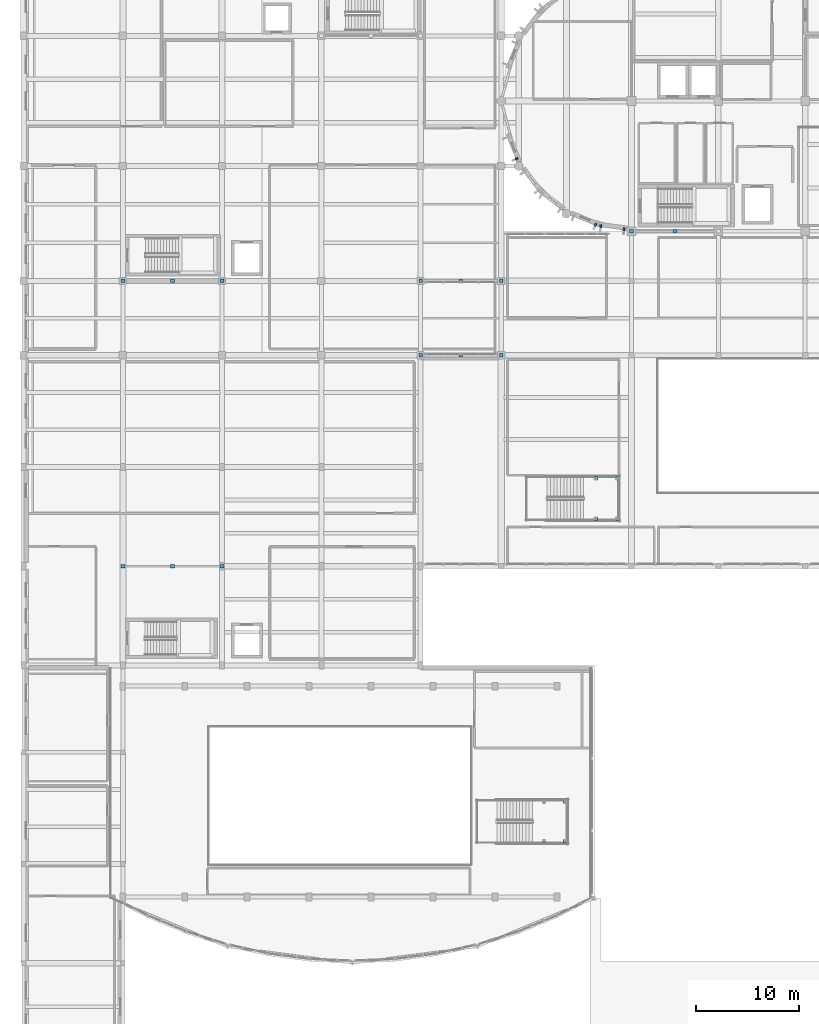
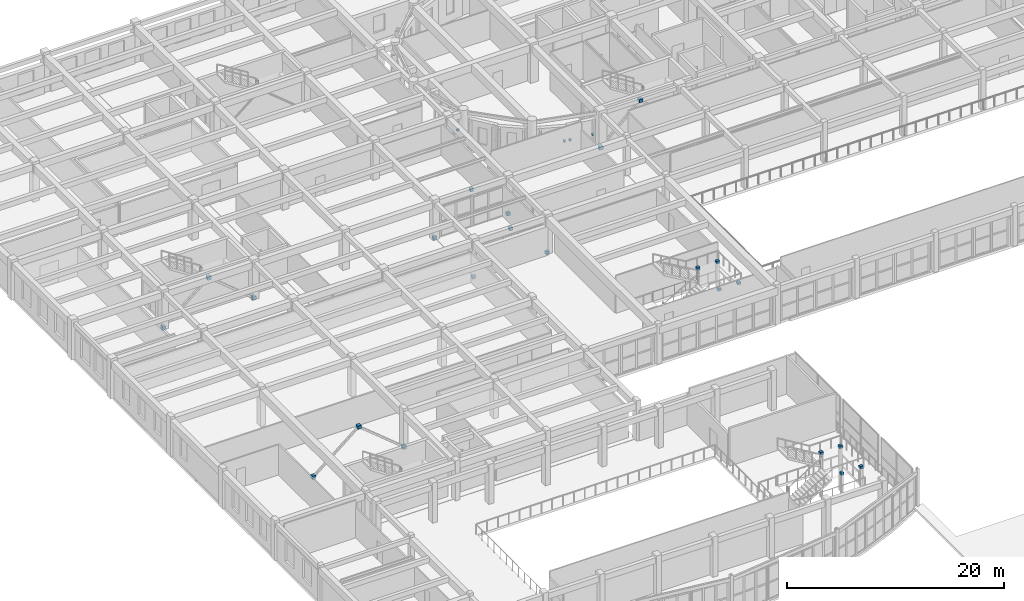
# One storey, part 75 of 92: 26 discrete accessories.
"""IFC4 building model written with IfcOpenShell, lengths in metres."""

import ifcopenshell
import ifcopenshell.guid

model = None  # the IFC model being written
_history = None  # IfcOwnerHistory: only IFC2X3 demands one
_inside = {}  # id of a spatial element -> (the spatial element, [elements in it])
_under = {}  # id of a project, library or spatial element -> (it, [spatial elements below it])
_declared = {}  # id of a project -> (the project, [libraries it declares])
_typed = {}  # id of a type object -> (the type object, [elements of that type])
_made_of = {}  # id of a material, layer set ... -> (it, [elements and type objects made of it])


def new_model(schema):
    """Start an empty IFC model of exactly this schema.

    Asked for "IFC4X3", IfcOpenShell would pick the latest addendum, in which some entities
    have other attributes; the version numbers below select the first issue.
    IFC2X3 requires an IfcOwnerHistory on every rooted entity: one is made here for all.
    """
    global model, _history
    if schema == "IFC4X3":
        model = ifcopenshell.file(schema_version=(4, 3, 0, 0))
    else:
        model = ifcopenshell.file(schema=schema)
    _inside.clear()
    _under.clear()
    _declared.clear()
    _typed.clear()
    _made_of.clear()
    _history = None
    if model.schema == "IFC2X3":
        org = make("IfcOrganization", Name="unknown")
        user = make(
            "IfcPersonAndOrganization",
            ThePerson=make("IfcPerson", FamilyName="unknown"),
            TheOrganization=org,
        )
        app = make(
            "IfcApplication",
            ApplicationDeveloper=org,
            Version="unknown",
            ApplicationFullName="unknown",
            ApplicationIdentifier="unknown",
        )
        _history = make(
            "IfcOwnerHistory",
            OwningUser=user,
            OwningApplication=app,
            ChangeAction="ADDED",
            CreationDate=0,
        )
    return model


def make(cls, **values):
    """One entity of the class cls with the attributes given. An attribute that is None is left unset."""
    return model.create_entity(
        cls, **{name: value for name, value in values.items() if value is not None}
    )


def rooted(cls, **values):
    """An entity with a GlobalId (a new one), such as an element, a storey or a relation."""
    return make(cls, GlobalId=ifcopenshell.guid.new(), OwnerHistory=_history, **values)


def si_unit(unit_type, name, prefix=None):
    """IfcSIUnit, for example si_unit("LENGTHUNIT", "METRE", prefix="MILLI")."""
    return make("IfcSIUnit", UnitType=unit_type, Prefix=prefix, Name=name)


def assignment(units):
    """IfcUnitAssignment: the units of a project."""
    return None if units is None else make("IfcUnitAssignment", Units=units)


def point(xyz):
    """IfcCartesianPoint."""
    return None if xyz is None else make("IfcCartesianPoint", Coordinates=xyz)


def direction(xyz):
    """IfcDirection."""
    return None if xyz is None else make("IfcDirection", DirectionRatios=xyz)


def frame(location, z_axis=None, x_axis=None):
    """IfcAxis2Placement3D, a coordinate frame: its origin and axes. An axis left out is left unset."""
    return make(
        "IfcAxis2Placement3D",
        Location=point(location),
        Axis=direction(z_axis),
        RefDirection=direction(x_axis),
    )


def frame_2d(location, x_axis=None):
    """IfcAxis2Placement2D, a coordinate frame in the plane: its origin and x axis."""
    return make(
        "IfcAxis2Placement2D", Location=point(location), RefDirection=direction(x_axis)
    )


def origin():
    """The frame at (0, 0, 0) with its axes left unset."""
    return frame((0.0, 0.0, 0.0))


def origin_2d():
    """The frame at (0, 0) in the plane with its x axis left unset."""
    return frame_2d((0.0, 0.0))


def place(relative_to, where):
    """IfcLocalPlacement: puts the frame where relative to a parent placement (None: the world)."""
    return make(
        "IfcLocalPlacement", PlacementRelTo=relative_to, RelativePlacement=where
    )


def context(
    kind, dimensions, precision=None, world=None, true_north=None, identifier=None
):
    """IfcGeometricRepresentationContext, for example the 3D "Model" context."""
    return make(
        "IfcGeometricRepresentationContext",
        ContextIdentifier=identifier,
        ContextType=kind,
        CoordinateSpaceDimension=dimensions,
        Precision=precision,
        WorldCoordinateSystem=world,
        TrueNorth=true_north,
    )


def subcontext(parent, identifier, kind, view, scale=None):
    """IfcGeometricRepresentationSubContext, for example "Body" below "Model"."""
    return make(
        "IfcGeometricRepresentationSubContext",
        ContextIdentifier=identifier,
        ContextType=kind,
        ParentContext=parent,
        TargetScale=scale,
        TargetView=view,
    )


def project(units=None, contexts=None):
    """IfcProject with its units and contexts."""
    return rooted(
        "IfcProject",
        Name="project",
        RepresentationContexts=contexts,
        UnitsInContext=assignment(units),
    )


def spatial(cls, under=None, at=None, **own):
    """A site, building, storey or space (cls), placed at a placement, below another one or the project."""
    s = rooted(cls, ObjectPlacement=at, **own)
    if under is not None:
        _under.setdefault(under.id(), (under, []))[1].append(s)
    return s


def profile(cls, at=None, kind="AREA", **sizes):
    """A parametric profile (cls). Its sizes go by their IFC names, for example OverallWidth=200.0."""
    return make(cls, ProfileType=kind, Position=at, **sizes)


def rectangle(**sizes):
    """IfcRectangleProfileDef."""
    return profile("IfcRectangleProfileDef", **sizes)


def extrude(swept, where, along, depth):
    """IfcExtrudedAreaSolid: the profile swept, set in the frame where, extruded along a direction by depth."""
    return make(
        "IfcExtrudedAreaSolid",
        SweptArea=swept,
        Position=where,
        ExtrudedDirection=direction(along),
        Depth=depth,
    )


def shape(context_of_items, identifier, shape_type, items):
    """IfcShapeRepresentation: the items that make up one representation, for example the "Body"."""
    return make(
        "IfcShapeRepresentation",
        ContextOfItems=context_of_items,
        RepresentationIdentifier=identifier,
        RepresentationType=shape_type,
        Items=items,
    )


def material(Name=None, Category=None):
    """IfcMaterial."""
    return make("IfcMaterial", Name=Name, Category=Category)


def made_of(thing, what):
    """Note that an element or type object is made of a material, layer set ...; save() writes the relation."""
    if what is not None:
        _made_of.setdefault(what.id(), (what, []))[1].append(thing)
    return thing


def type_object(cls, material=None, **own):
    """A type object (cls), such as IfcWallType, which elements share."""
    return made_of(rooted(cls, **own), material)


def element(
    cls,
    number,
    at=None,
    inside=None,
    cuts=None,
    type_object=None,
    material=None,
    context=None,
    identifier="Body",
    shape_type=None,
    held_by="IfcProductDefinitionShape",
    body=None,
    shapes=None,
    **own,
):
    """One element of the class cls, such as IfcWall. Its Tag is "e" and its number.

    at: its placement. inside: the storey or other place that contains it. cuts: it is an
    opening in that element (IfcRelVoidsElement). A single representation is given by context,
    identifier, shape_type and body (its items); several are given by shapes. held_by: the class
    of the entity that holds the representations. save() writes the other relations.
    """
    e = rooted(cls, Tag="e%d" % number, ObjectPlacement=at, **own)
    if body is not None:
        shapes = [shape(context, identifier, shape_type, body)]
    if shapes is not None:
        e.Representation = make(held_by, Representations=shapes)
    if inside is not None:
        _inside.setdefault(inside.id(), (inside, []))[1].append(e)
    if cuts is not None:
        rooted(
            "IfcRelVoidsElement", RelatingBuildingElement=cuts, RelatedOpeningElement=e
        )
    if type_object is not None:
        _typed.setdefault(type_object.id(), (type_object, []))[1].append(e)
    return made_of(e, material)


def aggregate(whole, parts):
    """IfcRelAggregates: a whole, such as a stair, and the parts it consists of."""
    return rooted("IfcRelAggregates", RelatingObject=whole, RelatedObjects=parts)


def save(model, path):
    """Write the relations noted so far, then the file.

    IfcRelAggregates (storeys below a building ...), IfcRelContainedInSpatialStructure (elements
    in a storey), IfcRelDefinesByType, IfcRelAssociatesMaterial and IfcRelDeclares: one each for
    every whole, place, type object, material and project.
    """
    for whole, parts in _under.values():
        aggregate(whole, parts)
    for where, things in _inside.values():
        rooted(
            "IfcRelContainedInSpatialStructure",
            RelatedElements=things,
            RelatingStructure=where,
        )
    for kind, things in _typed.values():
        rooted("IfcRelDefinesByType", RelatedObjects=things, RelatingType=kind)
    for what, things in _made_of.values():
        rooted("IfcRelAssociatesMaterial", RelatedObjects=things, RelatingMaterial=what)
    for by, libraries in _declared.values():
        rooted("IfcRelDeclares", RelatingContext=by, RelatedDefinitions=libraries)
    model.write(path)


model = new_model("IFC4")

# Units and contexts
model_context = context("Model", 3, precision=1e-05, world=origin(), true_north=direction((0.0, 1.0)))
body_context = subcontext(model_context, "Body", "Model", "MODEL_VIEW")
ifc_project = project(units=[si_unit("LENGTHUNIT", "METRE"), si_unit("AREAUNIT", "SQUARE_METRE"), si_unit("VOLUMEUNIT", "CUBIC_METRE"), si_unit("PLANEANGLEUNIT", "RADIAN"), si_unit("MASSUNIT", "GRAM", prefix="KILO")], contexts=[model_context])

# Site, building, storey
site_placement = place(None, origin())
site = spatial("IfcSite", under=ifc_project, at=site_placement, CompositionType="ELEMENT")
building_placement = place(site_placement, origin())
building = spatial("IfcBuilding", under=site, at=building_placement, Name="Tarnavel Promenade Courthouse", CompositionType="ELEMENT")
storey_placement = place(building_placement, frame((0.0, 0.0, 5.39990234375)))
storey = spatial("IfcBuildingStorey", under=building, at=storey_placement, Name="L02", CompositionType="ELEMENT", Elevation=5.39990234375)

# Discrete accessories
ifc_material = material(Name="Steel S355J2", Category="steel")
discrete_accessory_type_1 = type_object("IfcDiscreteAccessoryType", Name="Steel S355J2 Facade Pier Anchor Bracket", PredefinedType="BRACKET", material=ifc_material)
for number, where, z_axis, x_axis, name in (
    (1, (47.6953125, 86.2265625, 1.59521484375), (0.0, 0.0, 1.0), (0.382683432365, -0.923879532511, 0.0), "L02 Drum Pier Bracket 0042"),
    (2, (55.318603515625, 79.828857421875, 1.544921875), (0.0, 0.0, 1.0), (0.923879532511, -0.382683432365, 0.0), "L02 Drum Pier Bracket 0048"),
    (3, (55.82958984375, 79.69189453125, 1.59521484375), (0.0, 0.0, 1.0), (0.991444861374, -0.13052619222, 0.0), "L02 Drum Pier Bracket 0049"),
    (4, (58.074462890625, 79.396484375, 1.59521484375), (0.0, 0.0, 1.0), (0.991444861374, -0.13052619222, 0.0), "L02 Drum Pier Bracket 0050"),
):
    element("IfcDiscreteAccessory", number, at=place(storey_placement, frame(where, z_axis=z_axis, x_axis=x_axis)), inside=storey, type_object=discrete_accessory_type_1, Name=name, PredefinedType="BRACKET", context=body_context, shape_type="SweptSolid", body=[
        extrude(rectangle(XDim=0.199951171875, YDim=0.260009765625, at=origin_2d()), origin(), (0.0, 0.0, 1.0), 0.179931640625),
    ])
discrete_accessory_type_2 = type_object("IfcDiscreteAccessoryType", Name="Steel S355J2 Structural Connection Bracket", PredefinedType="BRACKET", material=ifc_material)
for number, where, z_axis, x_axis, name in (
    (5, (38.39990234375, 67.199951171875, -0.169921875), (0.0, 0.0, 1.0), (1.0, 0.0, 0.0), "L02 Link Bridge BRW Truss Gusset Node W"),
    (6, (42.300048828125, 67.199951171875, 3.89013671875), (0.0, 0.0, 1.0), (1.0, 0.0, 0.0), "L02 Link Bridge BRW Truss Gusset Node M"),
    (7, (46.199951171875, 67.199951171875, -0.169921875), (0.0, 0.0, 1.0), (1.0, 0.0, 0.0), "L02 Link Bridge BRW Truss Gusset Node E"),
    (8, (38.39990234375, 74.39990234375, -0.169921875), (0.0, 0.0, 1.0), (1.0, 0.0, 0.0), "L02 Link Bridge BRW Truss Gusset Node W"),
    (9, (42.300048828125, 74.39990234375, 3.89013671875), (0.0, 0.0, 1.0), (1.0, 0.0, 0.0), "L02 Link Bridge BRW Truss Gusset Node M"),
    (10, (46.199951171875, 74.39990234375, -0.169921875), (0.0, 0.0, 1.0), (1.0, 0.0, 0.0), "L02 Link Bridge BRW Truss Gusset Node E"),
):
    element("IfcDiscreteAccessory", number, at=place(storey_placement, frame(where, z_axis=z_axis, x_axis=x_axis)), inside=storey, type_object=discrete_accessory_type_2, Name=name, PredefinedType="BRACKET", context=body_context, shape_type="SweptSolid", body=[
        extrude(rectangle(XDim=0.340087890625, YDim=0.320068359375, at=origin_2d()), origin(), (0.0, 0.0, 1.0), 0.340087890625),
    ])
for number, where, z_axis, x_axis, name in (
    (11, (58.800048828125, 79.199951171875, -0.0947265625), (0.0, 0.0, 1.0), (1.0, 0.0, 0.0), "L02 V5 Chevron Brace Gusset Node 003-L"),
    (12, (63.0, 79.199951171875, 3.755126953125), (0.0, 0.0, 1.0), (1.0, 0.0, 0.0), "L02 V5 Chevron Brace Gusset Node 003-M"),
    (13, (9.60009765625, 74.39990234375, -0.18994140625), (0.0, 0.0, 1.0), (1.0, 0.0, 0.0), "L02 V2 Chevron Brace Gusset Node 030-L"),
    (14, (14.39990234375, 74.39990234375, 3.755126953125), (0.0, 0.0, 1.0), (1.0, 0.0, 0.0), "L02 V2 Chevron Brace Gusset Node 030-M"),
    (15, (19.199951171875, 74.39990234375, -0.18994140625), (0.0, 0.0, 1.0), (1.0, 0.0, 0.0), "L02 V2 Chevron Brace Gusset Node 030-R"),
    (16, (9.60009765625, 46.800048828125, -0.18994140625), (0.0, 0.0, 1.0), (1.0, 0.0, 0.0), "L02 V3 Chevron Brace Gusset Node 044-L"),
    (17, (14.39990234375, 46.800048828125, 3.755126953125), (0.0, 0.0, 1.0), (1.0, 0.0, 0.0), "L02 V3 Chevron Brace Gusset Node 044-M"),
    (18, (19.199951171875, 46.800048828125, -0.18994140625), (0.0, 0.0, 1.0), (1.0, 0.0, 0.0), "L02 V3 Chevron Brace Gusset Node 044-R"),
):
    element("IfcDiscreteAccessory", number, at=place(storey_placement, frame(where, z_axis=z_axis, x_axis=x_axis)), inside=storey, type_object=discrete_accessory_type_2, Name=name, PredefinedType="BRACKET", context=body_context, shape_type="SweptSolid", body=[
        extrude(rectangle(XDim=0.3798828125, YDim=0.360107421875, at=origin_2d()), origin(), (0.0, 0.0, 1.0), 0.3798828125),
    ])
for number, where, z_axis, x_axis, name in (
    (19, (50.340087890625, 20.199951171875, 2.10986328125), (0.0, 0.0, 1.0), (1.0, 0.0, 0.0), "L02 ST-09 Stair Landing Post Node 1-T"),
    (20, (52.39990234375, 20.199951171875, 2.10986328125), (0.0, 0.0, 1.0), (1.0, 0.0, 0.0), "L02 ST-09 Stair Landing Post Node 2-T"),
    (21, (50.340087890625, 24.0, 2.10986328125), (0.0, 0.0, 1.0), (1.0, 0.0, 0.0), "L02 ST-09 Stair Landing Post Node 3-T"),
    (22, (52.39990234375, 24.0, 2.10986328125), (0.0, 0.0, 1.0), (1.0, 0.0, 0.0), "L02 ST-09 Stair Landing Post Node 4-T"),
    (23, (55.330078125, 51.39990234375, 2.10986328125), (0.0, 0.0, 1.0), (1.0, 0.0, 0.0), "L02 ST-10 Stair Landing Post Node 1-T"),
    (24, (57.39990234375, 51.39990234375, 2.10986328125), (0.0, 0.0, 1.0), (1.0, 0.0, 0.0), "L02 ST-10 Stair Landing Post Node 2-T"),
    (25, (55.330078125, 55.300048828125, 2.10986328125), (0.0, 0.0, 1.0), (1.0, 0.0, 0.0), "L02 ST-10 Stair Landing Post Node 3-T"),
    (26, (57.39990234375, 55.300048828125, 2.10986328125), (0.0, 0.0, 1.0), (1.0, 0.0, 0.0), "L02 ST-10 Stair Landing Post Node 4-T"),
):
    element("IfcDiscreteAccessory", number, at=place(storey_placement, frame(where, z_axis=z_axis, x_axis=x_axis)), inside=storey, type_object=discrete_accessory_type_2, Name=name, PredefinedType="BRACKET", context=body_context, shape_type="SweptSolid", body=[
        extrude(rectangle(XDim=0.320068359375, YDim=0.320068359375, at=origin_2d()), origin(), (0.0, 0.0, 1.0), 0.280029296875),
    ])

save(model, "model.ifc")
